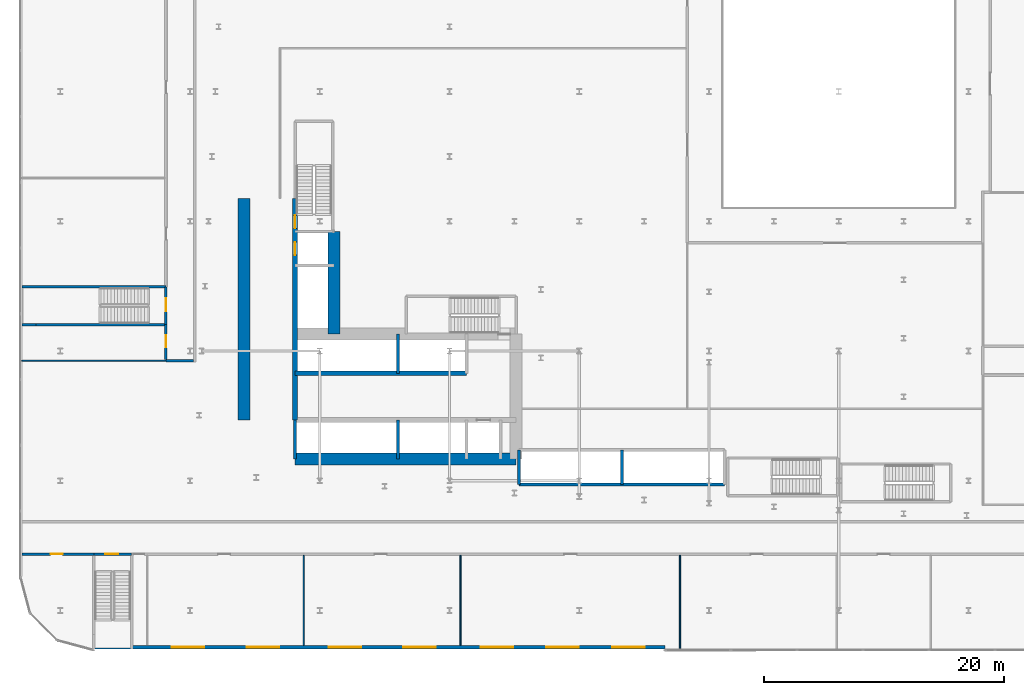
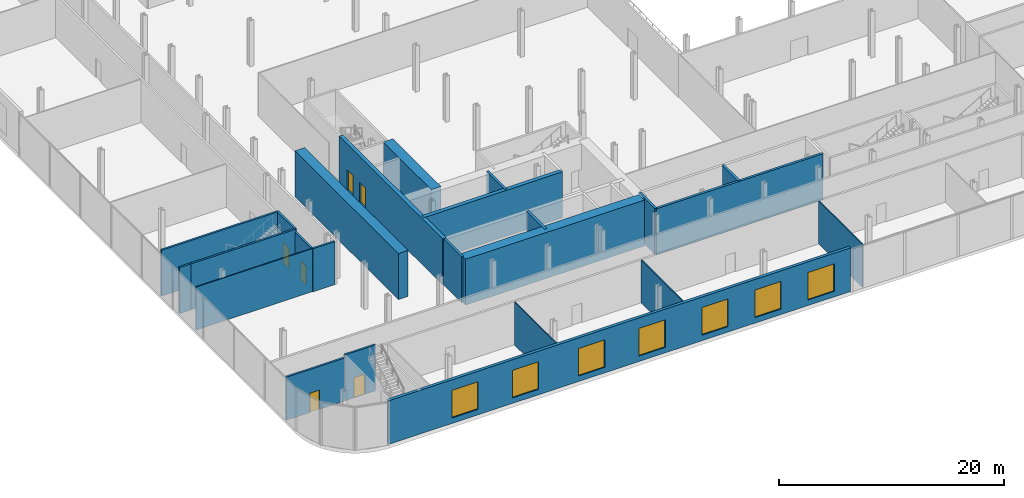
# One storey, part 25 of 47: 24 walls, 7 windows, 6 doors, 13 openings.
"""IFC4 building model written with IfcOpenShell, lengths in metres."""

from ifc_helpers import new_model, si_unit, direction, frame, frame_2d, origin, place, context, subcontext, project, spatial, rectangle, extrude, source, transform, mapped, material, layer, layer_set, type_object, element, fill, save


model = new_model("IFC4")

# Units and contexts
model_context = context("Model", 3, precision=1e-05, world=origin(), true_north=direction((0.0, 1.0)))
body_context = subcontext(model_context, "Body", "Model", "MODEL_VIEW")
ifc_project = project(units=[si_unit("LENGTHUNIT", "METRE"), si_unit("AREAUNIT", "SQUARE_METRE"), si_unit("VOLUMEUNIT", "CUBIC_METRE"), si_unit("PLANEANGLEUNIT", "RADIAN"), si_unit("MASSUNIT", "GRAM", prefix="KILO")], contexts=[model_context])

# Site, building, storey
site_placement = place(None, origin())
site = spatial("IfcSite", under=ifc_project, at=site_placement, CompositionType="ELEMENT")
building_placement = place(site_placement, origin())
building = spatial("IfcBuilding", under=site, at=building_placement, Name="Kheshtan School and Residences Tower", CompositionType="ELEMENT")
storey_placement = place(building_placement, frame((0.0, 0.0, 7.5)))
storey = spatial("IfcBuildingStorey", under=building, at=storey_placement, Name="L01", CompositionType="ELEMENT", Elevation=7.5)

# Walls
ifc_material_1 = material(Name="Concrete C80/95", Category="concrete")
ifc_layer_1 = layer(ifc_material_1, 1.0)
ifc_layer_set_1 = layer_set([ifc_layer_1], Name="Core wall 1000 Concrete C80/95")
wall_type_1 = type_object("IfcWallType", Name="Core wall 1000 Concrete C80/95", PredefinedType="SHEAR", material=ifc_layer_set_1)
wall_1_placement = place(storey_placement, frame((34.75, 25.800048828125, 0.0), z_axis=(0.0, 0.0, 1.0), x_axis=(1.0, 0.0, 0.0)))
element("IfcWall", 1, at=wall_1_placement, inside=storey, type_object=wall_type_1, Name="Core wall CW-REAR-S", PredefinedType="SHEAR", context=body_context, shape_type="SweptSolid", body=[
    extrude(rectangle(XDim=18.39990234375, YDim=1.0, at=frame_2d((9.199951171875, 0.0))), origin(), (0.0, 0.0, 1.0), 5.0),
])
wall_2_placement = place(storey_placement, frame((38.0, 36.199951171875, 0.0), z_axis=(0.0, 0.0, 1.0), x_axis=(0.0, 1.0, 0.0)))
element("IfcWall", 2, at=wall_2_placement, inside=storey, type_object=wall_type_1, Name="Core wall CW-FRONT-W", PredefinedType="SHEAR", context=body_context, shape_type="SweptSolid", body=[
    extrude(rectangle(XDim=8.550048828125, YDim=1.0, at=frame_2d((4.27490234375, 0.0))), origin(), (0.0, 0.0, 1.0), 5.0),
])
wall_3_placement = place(storey_placement, frame((30.5, 29.050048828125, 0.0), z_axis=(0.0, 0.0, 1.0), x_axis=(0.0, 1.0, 0.0)))
element("IfcWall", 3, at=wall_3_placement, inside=storey, type_object=wall_type_1, Name="Core wall CW-REAR-W", PredefinedType="SHEAR", context=body_context, shape_type="SweptSolid", body=[
    extrude(rectangle(XDim=18.449951171875, YDim=1.0, at=frame_2d((9.22509765625, 0.0))), origin(), (0.0, 0.0, 1.0), 5.0),
])
ifc_material_2 = material(Name="Concrete C50/60", Category="concrete")
ifc_layer_2 = layer(ifc_material_2, 0.39990234375)
ifc_layer_set_2 = layer_set([ifc_layer_2], Name="Core wall 400 Concrete C50/60")
wall_type_2 = type_object("IfcWallType", Name="Core wall 400 Concrete C50/60", PredefinedType="SHEAR", material=ifc_layer_set_2)
wall_4_placement = place(storey_placement, frame((34.75, 32.949951171875, 0.0), z_axis=(0.0, 0.0, 1.0), x_axis=(1.0, 0.0, 0.0)))
element("IfcWall", 4, at=wall_4_placement, inside=storey, type_object=wall_type_2, Name="Core wall CW-HALL-S2", PredefinedType="SHEAR", context=body_context, shape_type="SweptSolid", body=[
    extrude(rectangle(XDim=14.25, YDim=0.39990234375, at=frame_2d((7.125, 0.0))), origin(), (0.0, 0.0, 1.0), 5.0),
])

# Wall, openings, doors
wall_5_placement = place(storey_placement, frame((34.75, 29.050048828125, 0.0), z_axis=(0.0, 0.0, 1.0), x_axis=(0.0, 1.0, 0.0)))
wall_5 = element("IfcWall", 5, at=wall_5_placement, inside=storey, type_object=wall_type_2, Name="Core wall CW-HALL-W1", PredefinedType="SHEAR", context=body_context, shape_type="SweptSolid", body=[
    extrude(rectangle(XDim=18.449951171875, YDim=0.39990234375, at=frame_2d((9.22509765625, 0.0))), origin(), (0.0, 0.0, 1.0), 5.0),
])
opening_1_placement = place(wall_5_placement, frame((13.72509765625, 0.0, 0.0)))
opening_1 = element("IfcOpeningElement", 6, at=opening_1_placement, cuts=wall_5, Name="Opening LD", PredefinedType="OPENING", context=body_context, shape_type="SweptSolid", body=[
    extrude(rectangle(XDim=1.10009765625, YDim=2.199951171875, at=frame_2d((0.550048828125, 1.10009765625))), frame((0.0, 0.2099609375, 0.0), z_axis=(0.0, -1.0, 0.0), x_axis=(1.0, 0.0, 0.0)), (0.0, 0.0, 1.0), 0.419921875),
])
opening_2_placement = place(wall_5_placement, frame((15.949951171875, 0.0, 0.0)))
opening_2 = element("IfcOpeningElement", 7, at=opening_2_placement, cuts=wall_5, Name="Opening ST2D", PredefinedType="OPENING", context=body_context, shape_type="SweptSolid", body=[
    extrude(rectangle(XDim=1.10009765625, YDim=2.199951171875, at=frame_2d((0.550048828125, 1.10009765625))), frame((0.0, 0.2099609375, 0.0), z_axis=(0.0, -1.0, 0.0), x_axis=(1.0, 0.0, 0.0)), (0.0, 0.0, 1.0), 0.419921875),
])
ifc_material_3 = material(Name="Stainless steel door leaves", Category="steel")
door_type_1 = type_object("IfcDoorType", Name="Lift landing door 1100", OperationType="SLIDING_TO_LEFT", PredefinedType="DOOR", material=ifc_material_3)
shared_shape_1 = source(origin(), body_context, "Body", "SweptSolid", [
    extrude(rectangle(XDim=1.10009765625, YDim=2.199951171875, at=frame_2d((0.550048828125, 1.10009765625))), frame((0.0, 0.02490234375, 0.0), z_axis=(0.0, -1.0, 0.0), x_axis=(1.0, 0.0, 0.0)), (0.0, 0.0, 1.0), 0.050048828125),
])
door_1_placement = place(opening_1_placement, origin())
door_1 = element("IfcDoor", 8, at=door_1_placement, inside=storey, type_object=door_type_1, Name="Lift FFL1 landing door", OperationType="SLIDING_TO_LEFT", OverallHeight=2.199951171875, OverallWidth=1.10009765625, PredefinedType="DOOR", context=body_context, shape_type="MappedRepresentation", body=[
    mapped(shared_shape_1, transform((0.0, 0.0, 0.0), x_axis=(1.0, 0.0, 0.0), y_axis=(0.0, 1.0, 0.0), z_axis=(0.0, 0.0, 1.0), scale=1.0)),
])
fill(opening_1, door_1)
ifc_material_4 = material(Name="Steel door leaf, galvanised", Category="steel")
door_type_2 = type_object("IfcDoorType", Name="Stair door 1100 steel 90 min", OperationType="SINGLE_SWING_LEFT", PredefinedType="DOOR", material=ifc_material_4)
shared_shape_2 = source(origin(), body_context, "Body", "SweptSolid", [
    extrude(rectangle(XDim=1.10009765625, YDim=2.199951171875, at=frame_2d((0.550048828125, 1.10009765625))), frame((0.0, 0.02490234375, 0.0), z_axis=(0.0, -1.0, 0.0), x_axis=(1.0, 0.0, 0.0)), (0.0, 0.0, 1.0), 0.050048828125),
])
door_2_placement = place(opening_2_placement, origin())
door_2 = element("IfcDoor", 9, at=door_2_placement, inside=storey, type_object=door_type_2, Name="Stair ST2 door", OperationType="SINGLE_SWING_RIGHT", OverallHeight=2.199951171875, OverallWidth=1.10009765625, PredefinedType="DOOR", context=body_context, shape_type="MappedRepresentation", body=[
    mapped(shared_shape_2, transform((0.0, 0.0, 0.0), x_axis=(1.0, 0.0, 0.0), y_axis=(0.0, 1.0, 0.0), z_axis=(0.0, 0.0, 1.0), scale=1.0)),
])
fill(opening_2, door_2)

# Wall, opening, door
ifc_material_5 = material(Name="Gypsum board on steel studs with fire boards", Category="steel")
ifc_layer_3 = layer(ifc_material_5, 0.199951171875)
ifc_layer_set_3 = layer_set([ifc_layer_3], Name="Corridor wall 200")
wall_type_3 = type_object("IfcWallType", Name="Corridor wall 200", PredefinedType="PARTITIONING", material=ifc_layer_set_3)
wall_6_placement = place(storey_placement, frame((12.0, 17.89990234375, 0.0), z_axis=(0.0, 0.0, 1.0), x_axis=(1.0, 0.0, 0.0)))
wall_6 = element("IfcWall", 10, at=wall_6_placement, inside=storey, type_object=wall_type_3, Name="Partition L01-001", PredefinedType="PARTITIONING", context=body_context, shape_type="SweptSolid", body=[
    extrude(rectangle(XDim=6.0, YDim=0.199951171875, at=frame_2d((3.0, 0.0))), origin(), (0.0, 0.0, 1.0), 4.679931640625),
])
opening_3_placement = place(wall_6_placement, frame((2.39990234375, 0.0, 0.0)))
opening_3 = element("IfcOpeningElement", 11, at=opening_3_placement, cuts=wall_6, Name="Opening D01-034", PredefinedType="OPENING", context=body_context, shape_type="SweptSolid", body=[
    extrude(rectangle(XDim=1.0, YDim=2.10009765625, at=frame_2d((0.5, 1.050048828125))), frame((0.0, 0.10986328125, 0.0), z_axis=(0.0, -1.0, 0.0), x_axis=(1.0, 0.0, 0.0)), (0.0, 0.0, 1.0), 0.219970703125),
])
ifc_material_6 = material(Name="Steel-framed fire-resisting door leaf", Category="steel")
door_type_3 = type_object("IfcDoorType", Name="Fire door FD60 1000 x 2100", OperationType="SINGLE_SWING_LEFT", PredefinedType="DOOR", material=ifc_material_6)
shared_shape_3 = source(origin(), body_context, "Body", "SweptSolid", [
    extrude(rectangle(XDim=1.0, YDim=2.10009765625, at=frame_2d((0.5, 1.050048828125))), frame((0.0, 0.02490234375, 0.0), z_axis=(0.0, -1.0, 0.0), x_axis=(1.0, 0.0, 0.0)), (0.0, 0.0, 1.0), 0.050048828125),
])
door_3_placement = place(opening_3_placement, origin())
door_3 = element("IfcDoor", 12, at=door_3_placement, inside=storey, type_object=door_type_3, Name="Door D01-034", OperationType="SINGLE_SWING_LEFT", OverallHeight=2.10009765625, OverallWidth=1.0, PredefinedType="DOOR", context=body_context, shape_type="MappedRepresentation", body=[
    mapped(shared_shape_3, transform((0.0, 0.0, 0.0), x_axis=(1.0, 0.0, 0.0), y_axis=(0.0, 1.0, 0.0), z_axis=(0.0, 0.0, 1.0), scale=1.0)),
])
fill(opening_3, door_3)

# Wall
wall_7_placement = place(storey_placement, frame((24.0, 34.0, 0.0), z_axis=(0.0, 0.0, 1.0), x_axis=(1.0, 0.0, 0.0)))
element("IfcWall", 13, at=wall_7_placement, inside=storey, type_object=wall_type_3, Name="Partition L01-010", PredefinedType="PARTITIONING", context=body_context, shape_type="SweptSolid", body=[
    extrude(rectangle(XDim=2.300048828125, YDim=0.199951171875, at=frame_2d((1.14990234375, 0.0))), origin(), (0.0, 0.0, 1.0), 4.679931640625),
])

# Wall, opening, door
wall_8_placement = place(storey_placement, frame((24.0, 34.10009765625, 0.0), z_axis=(0.0, 0.0, 1.0), x_axis=(0.0, 1.0, 0.0)))
wall_8 = element("IfcWall", 14, at=wall_8_placement, inside=storey, type_object=wall_type_3, Name="Partition L01-011", PredefinedType="PARTITIONING", context=body_context, shape_type="SweptSolid", body=[
    extrude(rectangle(XDim=2.89990234375, YDim=0.199951171875, at=frame_2d((1.449951171875, 0.0))), origin(), (0.0, 0.0, 1.0), 4.679931640625),
])
opening_4_placement = place(wall_8_placement, frame((1.0, 0.0, 0.0)))
opening_4 = element("IfcOpeningElement", 15, at=opening_4_placement, cuts=wall_8, Name="Opening D01-052", PredefinedType="OPENING", context=body_context, shape_type="SweptSolid", body=[
    extrude(rectangle(XDim=1.0, YDim=2.10009765625, at=frame_2d((0.5, 1.050048828125))), frame((0.0, 0.10986328125, 0.0), z_axis=(0.0, -1.0, 0.0), x_axis=(1.0, 0.0, 0.0)), (0.0, 0.0, 1.0), 0.219970703125),
])
door_4_placement = place(opening_4_placement, origin())
door_4 = element("IfcDoor", 16, at=door_4_placement, inside=storey, type_object=door_type_3, Name="Door D01-052", OperationType="SINGLE_SWING_RIGHT", OverallHeight=2.10009765625, OverallWidth=1.0, PredefinedType="DOOR", context=body_context, shape_type="MappedRepresentation", body=[
    mapped(shared_shape_3, transform((0.0, 0.0, 0.0), x_axis=(1.0, 0.0, 0.0), y_axis=(0.0, 1.0, 0.0), z_axis=(0.0, 0.0, 1.0), scale=1.0)),
])
fill(opening_4, door_4)

# Walls
ifc_material_7 = material(Name="Gypsum board on steel studs", Category="steel")
ifc_layer_4 = layer(ifc_material_7, 0.10009765625)
ifc_layer_set_4 = layer_set([ifc_layer_4], Name="Gypsum partition 100")
wall_type_4 = type_object("IfcWallType", Name="Gypsum partition 100", PredefinedType="PARTITIONING", material=ifc_layer_set_4)
wall_9_placement = place(storey_placement, frame((12.0, 34.0, 0.0), z_axis=(0.0, 0.0, 1.0), x_axis=(1.0, 0.0, 0.0)))
element("IfcWall", 17, at=wall_9_placement, inside=storey, type_object=wall_type_4, Name="Partition L01-003", PredefinedType="PARTITIONING", context=body_context, shape_type="SweptSolid", body=[
    extrude(rectangle(XDim=12.0, YDim=0.10009765625, at=frame_2d((6.0, 0.0))), origin(), (0.0, 0.0, 1.0), 4.679931640625),
])
for number, where, z_axis, x_axis, name in (
    (18, (35.47802734375, 10.299072265625, 0.0), (0.0, 0.0, 1.0), (0.0, 1.0, 0.0), "Partition L01-017"),
    (19, (48.52197265625, 10.299072265625, 0.0), (0.0, 0.0, 1.0), (0.0, 1.0, 0.0), "Partition L01-018"),
):
    element("IfcWall", number, at=place(storey_placement, frame(where, z_axis=z_axis, x_axis=x_axis)), inside=storey, type_object=wall_type_4, Name=name, PredefinedType="PARTITIONING", context=body_context, shape_type="SweptSolid", body=[
        extrude(rectangle(XDim=7.5009765625, YDim=0.10009765625, at=frame_2d((3.75048828125, 0.0))), origin(), (0.0, 0.0, 1.0), 4.679931640625),
    ])
wall_10_placement = place(storey_placement, frame((66.782958984375, 10.0, 0.0), z_axis=(0.0, 0.0, 1.0), x_axis=(0.0, 1.0, 0.0)))
element("IfcWall", 20, at=wall_10_placement, inside=storey, type_object=wall_type_4, Name="Partition L01-028", PredefinedType="PARTITIONING", context=body_context, shape_type="SweptSolid", body=[
    extrude(rectangle(XDim=7.800048828125, YDim=0.10009765625, at=frame_2d((3.89990234375, 0.0))), origin(), (0.0, 0.0, 1.0), 4.679931640625),
])

# Wall, openings, windows
ifc_material_8 = material(Name="Concrete C40/50 with ceramic cladding and mineral wool insulation", Category="concrete")
ifc_layer_5 = layer(ifc_material_8, 0.300048828125)
ifc_layer_set_5 = layer_set([ifc_layer_5], Name="Podium external wall 300")
wall_type_5 = type_object("IfcWallType", Name="Podium external wall 300", PredefinedType="SOLIDWALL", material=ifc_layer_set_5)
wall_11_placement = place(storey_placement, frame((65.52001953125, 10.14990234375, 0.0), z_axis=(0.0, 0.0, 1.0), x_axis=(-1.0, 0.0, 0.0)))
wall_11 = element("IfcWall", 21, at=wall_11_placement, inside=storey, type_object=wall_type_5, Name="Podium external wall L01 12.1", PredefinedType="SOLIDWALL", context=body_context, shape_type="SweptSolid", body=[
    extrude(rectangle(XDim=47.52001953125, YDim=0.300048828125, at=frame_2d((23.760009765625, 0.0))), origin(), (0.0, 0.0, 1.0), 4.75),
])
opening_5_placement = place(wall_11_placement, frame((1.68310546875, 0.0, 0.60009765625)))
opening_5 = element("IfcOpeningElement", 22, at=opening_5_placement, cuts=wall_11, Name="Opening WN-F", PredefinedType="OPENING", context=body_context, shape_type="SweptSolid", body=[
    extrude(rectangle(XDim=2.699951171875, YDim=3.0, at=frame_2d((1.35009765625, 1.5))), frame((0.0, 0.16015625, 0.0), z_axis=(0.0, -1.0, 0.0), x_axis=(1.0, 0.0, 0.0)), (0.0, 0.0, 1.0), 0.320068359375),
])
opening_6_placement = place(wall_11_placement, frame((7.14990234375, 0.0, 0.60009765625)))
opening_6 = element("IfcOpeningElement", 23, at=opening_6_placement, cuts=wall_11, Name="Opening WN-F", PredefinedType="OPENING", context=body_context, shape_type="SweptSolid", body=[
    extrude(rectangle(XDim=2.699951171875, YDim=3.0, at=frame_2d((1.35009765625, 1.5))), frame((0.0, 0.16015625, 0.0), z_axis=(0.0, -1.0, 0.0), x_axis=(1.0, 0.0, 0.0)), (0.0, 0.0, 1.0), 0.320068359375),
])
opening_7_placement = place(wall_11_placement, frame((12.616943359375, 0.0, 0.60009765625)))
opening_7 = element("IfcOpeningElement", 24, at=opening_7_placement, cuts=wall_11, Name="Opening WN-F", PredefinedType="OPENING", context=body_context, shape_type="SweptSolid", body=[
    extrude(rectangle(XDim=2.699951171875, YDim=3.0, at=frame_2d((1.35009765625, 1.5))), frame((0.0, 0.16015625, 0.0), z_axis=(0.0, -1.0, 0.0), x_axis=(1.0, 0.0, 0.0)), (0.0, 0.0, 1.0), 0.320068359375),
])
opening_8_placement = place(wall_11_placement, frame((19.06005859375, 0.0, 0.60009765625)))
opening_8 = element("IfcOpeningElement", 25, at=opening_8_placement, cuts=wall_11, Name="Opening WN-F", PredefinedType="OPENING", context=body_context, shape_type="SweptSolid", body=[
    extrude(rectangle(XDim=2.699951171875, YDim=3.0, at=frame_2d((1.35009765625, 1.5))), frame((0.0, 0.16015625, 0.0), z_axis=(0.0, -1.0, 0.0), x_axis=(1.0, 0.0, 0.0)), (0.0, 0.0, 1.0), 0.320068359375),
])
opening_9_placement = place(wall_11_placement, frame((25.280029296875, 0.0, 0.60009765625)))
opening_9 = element("IfcOpeningElement", 26, at=opening_9_placement, cuts=wall_11, Name="Opening WN-F", PredefinedType="OPENING", context=body_context, shape_type="SweptSolid", body=[
    extrude(rectangle(XDim=2.699951171875, YDim=3.0, at=frame_2d((1.35009765625, 1.5))), frame((0.0, 0.16015625, 0.0), z_axis=(0.0, -1.0, 0.0), x_axis=(1.0, 0.0, 0.0)), (0.0, 0.0, 1.0), 0.320068359375),
])
opening_10_placement = place(wall_11_placement, frame((32.10009765625, 0.0, 0.60009765625)))
opening_10 = element("IfcOpeningElement", 27, at=opening_10_placement, cuts=wall_11, Name="Opening WN-F", PredefinedType="OPENING", context=body_context, shape_type="SweptSolid", body=[
    extrude(rectangle(XDim=2.699951171875, YDim=3.0, at=frame_2d((1.35009765625, 1.5))), frame((0.0, 0.16015625, 0.0), z_axis=(0.0, -1.0, 0.0), x_axis=(1.0, 0.0, 0.0)), (0.0, 0.0, 1.0), 0.320068359375),
])
opening_11_placement = place(wall_11_placement, frame((38.320068359375, 0.0, 0.60009765625)))
opening_11 = element("IfcOpeningElement", 28, at=opening_11_placement, cuts=wall_11, Name="Opening WN-F", PredefinedType="OPENING", context=body_context, shape_type="SweptSolid", body=[
    extrude(rectangle(XDim=2.699951171875, YDim=3.0, at=frame_2d((1.35009765625, 1.5))), frame((0.0, 0.16015625, 0.0), z_axis=(0.0, -1.0, 0.0), x_axis=(1.0, 0.0, 0.0)), (0.0, 0.0, 1.0), 0.320068359375),
])
ifc_material_9 = material(Name="Clear low-e glass in thermally broken aluminium frame", Category="aluminium")
window_type = type_object("IfcWindowType", Name="Window WN-F", PartitioningType="SINGLE_PANEL", PredefinedType="WINDOW", material=ifc_material_9)
shared_shape_4 = source(origin(), body_context, "Body", "SweptSolid", [
    extrude(rectangle(XDim=2.699951171875, YDim=3.0, at=frame_2d((1.35009765625, 1.5))), frame((0.0, 0.030029296875, 0.0), z_axis=(0.0, -1.0, 0.0), x_axis=(1.0, 0.0, 0.0)), (0.0, 0.0, 1.0), 0.06005859375),
])
window_1_placement = place(opening_5_placement, origin())
window_1 = element("IfcWindow", 29, at=window_1_placement, inside=storey, type_object=window_type, Name="Window L01 12.1.1", OverallHeight=3.0, OverallWidth=2.699951171875, PartitioningType="SINGLE_PANEL", PredefinedType="WINDOW", context=body_context, shape_type="MappedRepresentation", body=[
    mapped(shared_shape_4, transform((0.0, 0.0, 0.0), x_axis=(1.0, 0.0, 0.0), y_axis=(0.0, 1.0, 0.0), z_axis=(0.0, 0.0, 1.0), scale=1.0)),
])
fill(opening_5, window_1)
window_2_placement = place(opening_6_placement, origin())
window_2 = element("IfcWindow", 30, at=window_2_placement, inside=storey, type_object=window_type, Name="Window L01 12.1.2", OverallHeight=3.0, OverallWidth=2.699951171875, PartitioningType="SINGLE_PANEL", PredefinedType="WINDOW", context=body_context, shape_type="MappedRepresentation", body=[
    mapped(shared_shape_4, transform((0.0, 0.0, 0.0), x_axis=(1.0, 0.0, 0.0), y_axis=(0.0, 1.0, 0.0), z_axis=(0.0, 0.0, 1.0), scale=1.0)),
])
fill(opening_6, window_2)
window_3_placement = place(opening_7_placement, origin())
window_3 = element("IfcWindow", 31, at=window_3_placement, inside=storey, type_object=window_type, Name="Window L01 12.1.3", OverallHeight=3.0, OverallWidth=2.699951171875, PartitioningType="SINGLE_PANEL", PredefinedType="WINDOW", context=body_context, shape_type="MappedRepresentation", body=[
    mapped(shared_shape_4, transform((0.0, 0.0, 0.0), x_axis=(1.0, 0.0, 0.0), y_axis=(0.0, 1.0, 0.0), z_axis=(0.0, 0.0, 1.0), scale=1.0)),
])
fill(opening_7, window_3)
window_4_placement = place(opening_8_placement, origin())
window_4 = element("IfcWindow", 32, at=window_4_placement, inside=storey, type_object=window_type, Name="Window L01 12.1.4", OverallHeight=3.0, OverallWidth=2.699951171875, PartitioningType="SINGLE_PANEL", PredefinedType="WINDOW", context=body_context, shape_type="MappedRepresentation", body=[
    mapped(shared_shape_4, transform((0.0, 0.0, 0.0), x_axis=(1.0, 0.0, 0.0), y_axis=(0.0, 1.0, 0.0), z_axis=(0.0, 0.0, 1.0), scale=1.0)),
])
fill(opening_8, window_4)
window_5_placement = place(opening_9_placement, origin())
window_5 = element("IfcWindow", 33, at=window_5_placement, inside=storey, type_object=window_type, Name="Window L01 12.1.5", OverallHeight=3.0, OverallWidth=2.699951171875, PartitioningType="SINGLE_PANEL", PredefinedType="WINDOW", context=body_context, shape_type="MappedRepresentation", body=[
    mapped(shared_shape_4, transform((0.0, 0.0, 0.0), x_axis=(1.0, 0.0, 0.0), y_axis=(0.0, 1.0, 0.0), z_axis=(0.0, 0.0, 1.0), scale=1.0)),
])
fill(opening_9, window_5)
window_6_placement = place(opening_10_placement, origin())
window_6 = element("IfcWindow", 34, at=window_6_placement, inside=storey, type_object=window_type, Name="Window L01 12.1.6", OverallHeight=3.0, OverallWidth=2.699951171875, PartitioningType="SINGLE_PANEL", PredefinedType="WINDOW", context=body_context, shape_type="MappedRepresentation", body=[
    mapped(shared_shape_4, transform((0.0, 0.0, 0.0), x_axis=(1.0, 0.0, 0.0), y_axis=(0.0, 1.0, 0.0), z_axis=(0.0, 0.0, 1.0), scale=1.0)),
])
fill(opening_10, window_6)
window_7_placement = place(opening_11_placement, origin())
window_7 = element("IfcWindow", 35, at=window_7_placement, inside=storey, type_object=window_type, Name="Window L01 12.1.7", OverallHeight=3.0, OverallWidth=2.699951171875, PartitioningType="SINGLE_PANEL", PredefinedType="WINDOW", context=body_context, shape_type="MappedRepresentation", body=[
    mapped(shared_shape_4, transform((0.0, 0.0, 0.0), x_axis=(1.0, 0.0, 0.0), y_axis=(0.0, 1.0, 0.0), z_axis=(0.0, 0.0, 1.0), scale=1.0)),
])
fill(opening_11, window_7)

# Walls
ifc_material_10 = material(Name="Fire-board shaft wall system")
ifc_layer_6 = layer(ifc_material_10, 0.25)
ifc_layer_set_6 = layer_set([ifc_layer_6], Name="Shaft lining wall 250")
wall_type_6 = type_object("IfcWallType", Name="Shaft lining wall 250", PredefinedType="PARTITIONING", material=ifc_layer_set_6)
for number, where, z_axis, x_axis, name in (
    (36, (34.75, 25.800048828125, 0.0), (0.0, 0.0, 1.0), (0.0, 1.0, 0.0), "Shaft lining wall"),
    (37, (43.300048828125, 25.800048828125, 0.0), (0.0, 0.0, 1.0), (0.0, 1.0, 0.0), "Shaft lining wall"),
    (38, (43.300048828125, 32.949951171875, 0.0), (0.0, 0.0, 1.0), (0.0, 1.0, 0.0), "Shaft lining wall"),
):
    element("IfcWall", number, at=place(storey_placement, frame(where, z_axis=z_axis, x_axis=x_axis)), inside=storey, type_object=wall_type_6, Name=name, PredefinedType="PARTITIONING", context=body_context, shape_type="SweptSolid", body=[
        extrude(rectangle(XDim=3.25, YDim=0.25, at=frame_2d((1.625, 0.0))), origin(), (0.0, 0.0, 1.0), 5.0),
    ])
for number, where, z_axis, x_axis, name in (
    (39, (53.39990234375, 23.699951171875, 0.0), (0.0, 0.0, 1.0), (0.0, 1.0, 0.0), "Shaft lining wall"),
    (40, (61.949951171875, 23.699951171875, 0.0), (0.0, 0.0, 1.0), (0.0, 1.0, 0.0), "Shaft lining wall"),
):
    element("IfcWall", number, at=place(storey_placement, frame(where, z_axis=z_axis, x_axis=x_axis)), inside=storey, type_object=wall_type_6, Name=name, PredefinedType="PARTITIONING", context=body_context, shape_type="SweptSolid", body=[
        extrude(rectangle(XDim=2.85009765625, YDim=0.25, at=frame_2d((1.425048828125, 0.0))), origin(), (0.0, 0.0, 1.0), 5.0),
    ])
wall_12_placement = place(storey_placement, frame((53.39990234375, 23.699951171875, 0.0), z_axis=(0.0, 0.0, 1.0), x_axis=(1.0, 0.0, 0.0)))
element("IfcWall", 41, at=wall_12_placement, inside=storey, type_object=wall_type_6, Name="Shaft lining wall", PredefinedType="PARTITIONING", context=body_context, shape_type="SweptSolid", body=[
    extrude(rectangle(XDim=17.10009765625, YDim=0.25, at=frame_2d((8.550048828125, 0.0))), origin(), (0.0, 0.0, 1.0), 5.0),
])

# Wall, opening, door
ifc_material_11 = material(Name="Concrete C40/50", Category="concrete")
ifc_layer_7 = layer(ifc_material_11, 0.199951171875)
ifc_layer_set_7 = layer_set([ifc_layer_7], Name="Stair enclosure wall 200 Concrete C40/50")
wall_type_7 = type_object("IfcWallType", Name="Stair enclosure wall 200 Concrete C40/50", PredefinedType="SHEAR", material=ifc_layer_set_7)
wall_13_placement = place(storey_placement, frame((18.0, 17.89990234375, 0.0), z_axis=(0.0, 0.0, 1.0), x_axis=(1.0, 0.0, 0.0)))
wall_13 = element("IfcWall", 42, at=wall_13_placement, inside=storey, type_object=wall_type_7, Name="Stair enclosure wall", PredefinedType="SHEAR", context=body_context, shape_type="SweptSolid", body=[
    extrude(rectangle(XDim=3.14990234375, YDim=0.199951171875, at=frame_2d((1.574951171875, 0.0))), origin(), (0.0, 0.0, 1.0), 5.0),
])
opening_12_placement = place(wall_13_placement, frame((0.949951171875, 0.0, 0.0)))
opening_12 = element("IfcOpeningElement", 43, at=opening_12_placement, cuts=wall_13, Name="Opening SD90", PredefinedType="OPENING", context=body_context, shape_type="SweptSolid", body=[
    extrude(rectangle(XDim=1.10009765625, YDim=2.199951171875, at=frame_2d((0.550048828125, 1.10009765625))), frame((0.0, 0.10986328125, 0.0), z_axis=(0.0, -1.0, 0.0), x_axis=(1.0, 0.0, 0.0)), (0.0, 0.0, 1.0), 0.219970703125),
])
door_5_placement = place(opening_12_placement, origin())
door_5 = element("IfcDoor", 44, at=door_5_placement, inside=storey, type_object=door_type_2, Name="Stair door", OperationType="SINGLE_SWING_RIGHT", OverallHeight=2.199951171875, OverallWidth=1.10009765625, PredefinedType="DOOR", context=body_context, shape_type="MappedRepresentation", body=[
    mapped(shared_shape_2, transform((0.0, 0.0, 0.0), x_axis=(1.0, 0.0, 0.0), y_axis=(0.0, 1.0, 0.0), z_axis=(0.0, 0.0, 1.0), scale=1.0)),
])
fill(opening_12, door_5)

# Walls
wall_14_placement = place(storey_placement, frame((12.0, 37.0, 0.0), z_axis=(0.0, 0.0, 1.0), x_axis=(1.0, 0.0, 0.0)))
element("IfcWall", 45, at=wall_14_placement, inside=storey, type_object=wall_type_7, Name="Stair enclosure wall", PredefinedType="SHEAR", context=body_context, shape_type="SweptSolid", body=[
    extrude(rectangle(XDim=1.199951171875, YDim=0.199951171875, at=frame_2d((0.60009765625, 0.0))), origin(), (0.0, 0.0, 1.0), 5.0),
])
wall_15_placement = place(storey_placement, frame((13.199951171875, 37.0, 0.0), z_axis=(0.0, 0.0, 1.0), x_axis=(1.0, 0.0, 0.0)))
element("IfcWall", 46, at=wall_15_placement, inside=storey, type_object=wall_type_7, Name="Stair enclosure wall", PredefinedType="SHEAR", context=body_context, shape_type="SweptSolid", body=[
    extrude(rectangle(XDim=10.800048828125, YDim=0.199951171875, at=frame_2d((5.39990234375, 0.0))), origin(), (0.0, 0.0, 1.0), 5.0),
])
wall_16_placement = place(storey_placement, frame((12.0, 40.14990234375, 0.0), z_axis=(0.0, 0.0, 1.0), x_axis=(1.0, 0.0, 0.0)))
element("IfcWall", 47, at=wall_16_placement, inside=storey, type_object=wall_type_7, Name="Stair enclosure wall", PredefinedType="SHEAR", context=body_context, shape_type="SweptSolid", body=[
    extrude(rectangle(XDim=12.0, YDim=0.199951171875, at=frame_2d((6.0, 0.0))), origin(), (0.0, 0.0, 1.0), 5.0),
])

# Wall, opening, door
wall_17_placement = place(storey_placement, frame((24.0, 37.0, 0.0), z_axis=(0.0, 0.0, 1.0), x_axis=(0.0, 1.0, 0.0)))
wall_17 = element("IfcWall", 48, at=wall_17_placement, inside=storey, type_object=wall_type_7, Name="Stair enclosure wall", PredefinedType="SHEAR", context=body_context, shape_type="SweptSolid", body=[
    extrude(rectangle(XDim=3.14990234375, YDim=0.199951171875, at=frame_2d((1.574951171875, 0.0))), origin(), (0.0, 0.0, 1.0), 5.0),
])
opening_13_placement = place(wall_17_placement, frame((1.10009765625, 0.0, 0.0)))
opening_13 = element("IfcOpeningElement", 49, at=opening_13_placement, cuts=wall_17, Name="Opening SD90", PredefinedType="OPENING", context=body_context, shape_type="SweptSolid", body=[
    extrude(rectangle(XDim=1.10009765625, YDim=2.199951171875, at=frame_2d((0.550048828125, 1.10009765625))), frame((0.0, 0.10986328125, 0.0), z_axis=(0.0, -1.0, 0.0), x_axis=(1.0, 0.0, 0.0)), (0.0, 0.0, 1.0), 0.219970703125),
])
door_6_placement = place(opening_13_placement, origin())
door_6 = element("IfcDoor", 50, at=door_6_placement, inside=storey, type_object=door_type_2, Name="Stair door", OperationType="SINGLE_SWING_RIGHT", OverallHeight=2.199951171875, OverallWidth=1.10009765625, PredefinedType="DOOR", context=body_context, shape_type="MappedRepresentation", body=[
    mapped(shared_shape_2, transform((0.0, 0.0, 0.0), x_axis=(1.0, 0.0, 0.0), y_axis=(0.0, 1.0, 0.0), z_axis=(0.0, 0.0, 1.0), scale=1.0)),
])
fill(opening_13, door_6)

save(model, "model.ifc")
